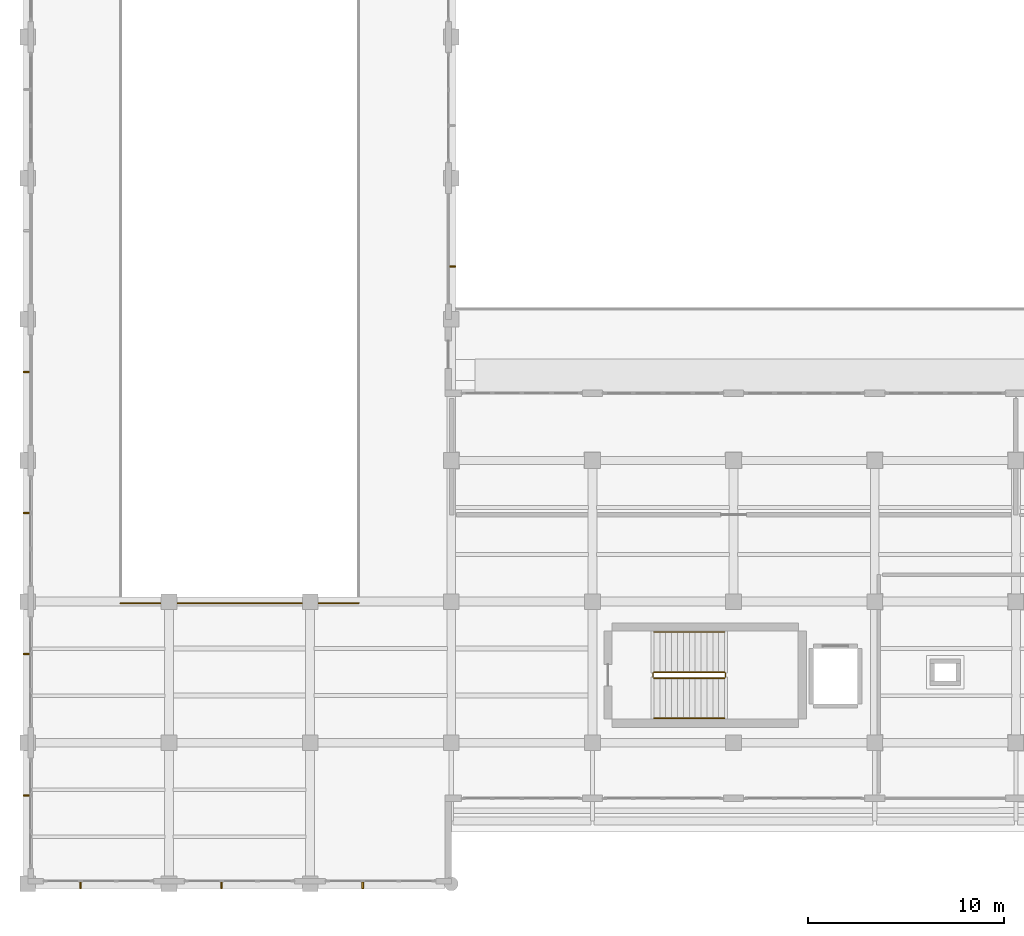
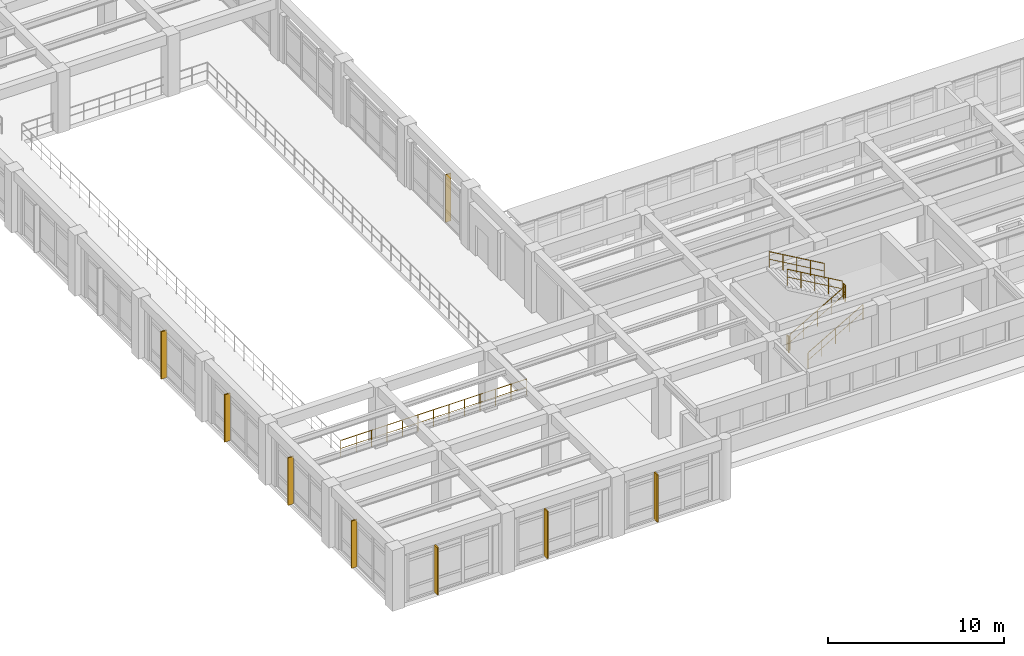
# One storey, part 54 of 67: 8 shading devices, 7 railings.
"""IFC4 building model written with IfcOpenShell, lengths in metres."""

from ifc_helpers import new_model, si_unit, direction, frame, origin, origin_2d, place, context, subcontext, project, spatial, rectangle, circle, extrude, material, material_profile, profile_set, type_object, element, save


model = new_model("IFC4")

# Units and contexts
model_context = context("Model", 3, precision=1e-05, world=origin(), true_north=direction((0.0, 1.0)))
body_context = subcontext(model_context, "Body", "Model", "MODEL_VIEW")
ifc_project = project(units=[si_unit("LENGTHUNIT", "METRE"), si_unit("AREAUNIT", "SQUARE_METRE"), si_unit("VOLUMEUNIT", "CUBIC_METRE"), si_unit("PLANEANGLEUNIT", "RADIAN"), si_unit("MASSUNIT", "GRAM", prefix="KILO")], contexts=[model_context])

# Site, building, storey
site_placement = place(None, origin())
site = spatial("IfcSite", under=ifc_project, at=site_placement, CompositionType="ELEMENT")
building_placement = place(site_placement, origin())
building = spatial("IfcBuilding", under=site, at=building_placement, Name="Solenvale Faculty of Natural Sciences", CompositionType="ELEMENT")
storey_placement = place(building_placement, frame((0.0, 0.0, 13.5)))
storey = spatial("IfcBuildingStorey", under=building, at=storey_placement, Name="L03", CompositionType="ELEMENT", Elevation=13.5)

# Railings
ifc_material_1 = material(Name="Stainless steel Grade 304", Category="steel")
railing_type_1 = type_object("IfcRailingType", Name="RL-GRD-1100", PredefinedType="GUARDRAIL", material=ifc_material_1)
railing_1_placement = place(storey_placement, frame((67.93994140625, 24.89990234375, 0.173095703125)))
element("IfcRailing", 1, at=railing_1_placement, inside=storey, type_object=railing_type_1, Name="L03 ST-03 stair guard 1", PredefinedType="GUARDRAIL", context=body_context, shape_type="SweptSolid", body=[
    extrude(circle(Radius=0.02392578125, at=origin_2d()), frame((0.0, 0.0, 1.09619140625), z_axis=(0.866193409371, 0.0, 0.499708892819), x_axis=(0.0, 1.0, 0.0)), (0.0, 0.0, 1.0), 4.15625),
    extrude(circle(Radius=0.01611328125, at=origin_2d()), frame((0.0, 0.0, 0.56005859375), z_axis=(0.866193409371, 0.0, 0.499708892819), x_axis=(0.0, 1.0, 0.0)), (0.0, 0.0, 1.0), 4.15625),
    extrude(circle(Radius=0.02099609375, at=origin_2d()), origin(), (0.0, 0.0, 1.0), 1.072021484375),
    extrude(circle(Radius=0.02099609375, at=origin_2d()), frame((0.89990234375, 0.0, 0.519287109375)), (0.0, 0.0, 1.0), 1.072021484375),
    extrude(circle(Radius=0.02099609375, at=origin_2d()), frame((1.800048828125, 0.0, 1.03857421875)), (0.0, 0.0, 1.0), 1.072021484375),
    extrude(circle(Radius=0.02099609375, at=origin_2d()), frame((2.7001953125, 0.0, 1.5576171875)), (0.0, 0.0, 1.0), 1.072021484375),
    extrude(circle(Radius=0.02099609375, at=origin_2d()), frame((3.60009765625, 0.0, 2.076904296875)), (0.0, 0.0, 1.0), 1.072021484375),
])
railing_2_placement = place(storey_placement, frame((71.590087890625, 24.949951171875, 2.25)))
element("IfcRailing", 2, at=railing_2_placement, inside=storey, type_object=railing_type_1, Name="L03 ST-03 stair guard 2", PredefinedType="GUARDRAIL", context=body_context, shape_type="SweptSolid", body=[
    extrude(circle(Radius=0.02392578125, at=origin_2d()), frame((0.0, 0.0, 1.09619140625), z_axis=(0.0, 1.0, 0.0), x_axis=(-1.0, 0.0, 0.0)), (0.0, 0.0, 1.0), 0.199951171875),
    extrude(circle(Radius=0.01611328125, at=origin_2d()), frame((0.0, 0.0, 0.56005859375), z_axis=(0.0, 1.0, 0.0), x_axis=(-1.0, 0.0, 0.0)), (0.0, 0.0, 1.0), 0.199951171875),
    extrude(circle(Radius=0.02099609375, at=origin_2d()), origin(), (0.0, 0.0, 1.0), 1.072021484375),
    extrude(circle(Radius=0.02099609375, at=origin_2d()), frame((0.0, 0.199951171875, 0.0)), (0.0, 0.0, 1.0), 1.072021484375),
])
railing_3_placement = place(storey_placement, frame((71.5400390625, 25.199951171875, 2.423095703125)))
element("IfcRailing", 3, at=railing_3_placement, inside=storey, type_object=railing_type_1, Name="L03 ST-03 stair guard 3", PredefinedType="GUARDRAIL", context=body_context, shape_type="SweptSolid", body=[
    extrude(circle(Radius=0.02392578125, at=origin_2d()), frame((0.0, 0.0, 1.09619140625), z_axis=(-0.866193409371, 0.0, 0.499708892819), x_axis=(0.0, -1.0, 0.0)), (0.0, 0.0, 1.0), 4.15625),
    extrude(circle(Radius=0.01611328125, at=origin_2d()), frame((0.0, 0.0, 0.56005859375), z_axis=(-0.866193409371, 0.0, 0.499708892819), x_axis=(0.0, -1.0, 0.0)), (0.0, 0.0, 1.0), 4.15625),
    extrude(circle(Radius=0.02099609375, at=origin_2d()), origin(), (0.0, 0.0, 1.0), 1.072021484375),
    extrude(circle(Radius=0.02099609375, at=origin_2d()), frame((-0.89990234375, 0.0, 0.519287109375)), (0.0, 0.0, 1.0), 1.072021484375),
    extrude(circle(Radius=0.02099609375, at=origin_2d()), frame((-1.800048828125, 0.0, 1.03857421875)), (0.0, 0.0, 1.0), 1.072021484375),
    extrude(circle(Radius=0.02099609375, at=origin_2d()), frame((-2.7001953125, 0.0, 1.5576171875)), (0.0, 0.0, 1.0), 1.072021484375),
    extrude(circle(Radius=0.02099609375, at=origin_2d()), frame((-3.60009765625, 0.0, 2.076904296875)), (0.0, 0.0, 1.0), 1.072021484375),
])
railing_4_placement = place(storey_placement, frame((67.889892578125, 24.949951171875, 0.0)))
element("IfcRailing", 4, at=railing_4_placement, inside=storey, type_object=railing_type_1, Name="L03 ST-03 stair guard 4", PredefinedType="GUARDRAIL", context=body_context, shape_type="SweptSolid", body=[
    extrude(circle(Radius=0.02392578125, at=origin_2d()), frame((0.0, 0.0, 1.09619140625), z_axis=(0.0, 1.0, 0.0), x_axis=(-1.0, 0.0, 0.0)), (0.0, 0.0, 1.0), 0.199951171875),
    extrude(circle(Radius=0.01611328125, at=origin_2d()), frame((0.0, 0.0, 0.56005859375), z_axis=(0.0, 1.0, 0.0), x_axis=(-1.0, 0.0, 0.0)), (0.0, 0.0, 1.0), 0.199951171875),
    extrude(circle(Radius=0.02099609375, at=origin_2d()), origin(), (0.0, 0.0, 1.0), 1.072021484375),
    extrude(circle(Radius=0.02099609375, at=origin_2d()), frame((0.0, 0.199951171875, 0.0)), (0.0, 0.0, 1.0), 1.072021484375),
])
railing_type_2 = type_object("IfcRailingType", Name="RL-GRD-ATR-1150", PredefinedType="GUARDRAIL", material=ifc_material_1)
railing_5_placement = place(storey_placement, frame((40.719970703125, 28.719970703125, 0.0)))
element("IfcRailing", 5, at=railing_5_placement, inside=storey, type_object=railing_type_2, Name="L03 Atrium Gallery Guardrail S", PredefinedType="GUARDRAIL", context=body_context, shape_type="SweptSolid", body=[
    extrude(circle(Radius=0.02392578125, at=origin_2d()), frame((0.0, 0.0, 1.1357421875), z_axis=(1.0, 0.0, 0.0), x_axis=(0.0, 1.0, 0.0)), (0.0, 0.0, 1.0), 12.159912109375),
    extrude(circle(Radius=0.01611328125, at=origin_2d()), frame((0.0, 0.0, 0.580078125), z_axis=(1.0, 0.0, 0.0), x_axis=(0.0, 1.0, 0.0)), (0.0, 0.0, 1.0), 12.159912109375),
    extrude(circle(Radius=0.02099609375, at=origin_2d()), origin(), (0.0, 0.0, 1.0), 1.11181640625),
    extrude(circle(Radius=0.02099609375, at=origin_2d()), frame((1.013427734375, 0.0, 0.0)), (0.0, 0.0, 1.0), 1.11181640625),
    extrude(circle(Radius=0.02099609375, at=origin_2d()), frame((2.026611328125, 0.0, 0.0)), (0.0, 0.0, 1.0), 1.11181640625),
    extrude(circle(Radius=0.02099609375, at=origin_2d()), frame((3.0400390625, 0.0, 0.0)), (0.0, 0.0, 1.0), 1.11181640625),
    extrude(circle(Radius=0.02099609375, at=origin_2d()), frame((4.05322265625, 0.0, 0.0)), (0.0, 0.0, 1.0), 1.11181640625),
    extrude(circle(Radius=0.02099609375, at=origin_2d()), frame((5.066650390625, 0.0, 0.0)), (0.0, 0.0, 1.0), 1.11181640625),
    extrude(circle(Radius=0.02099609375, at=origin_2d()), frame((6.080078125, 0.0, 0.0)), (0.0, 0.0, 1.0), 1.11181640625),
    extrude(circle(Radius=0.02099609375, at=origin_2d()), frame((7.09326171875, 0.0, 0.0)), (0.0, 0.0, 1.0), 1.11181640625),
    extrude(circle(Radius=0.02099609375, at=origin_2d()), frame((8.106689453125, 0.0, 0.0)), (0.0, 0.0, 1.0), 1.11181640625),
    extrude(circle(Radius=0.02099609375, at=origin_2d()), frame((9.119873046875, 0.0, 0.0)), (0.0, 0.0, 1.0), 1.11181640625),
    extrude(circle(Radius=0.02099609375, at=origin_2d()), frame((10.13330078125, 0.0, 0.0)), (0.0, 0.0, 1.0), 1.11181640625),
    extrude(circle(Radius=0.02099609375, at=origin_2d()), frame((11.146484375, 0.0, 0.0)), (0.0, 0.0, 1.0), 1.11181640625),
    extrude(circle(Radius=0.02099609375, at=origin_2d()), frame((12.159912109375, 0.0, 0.0)), (0.0, 0.0, 1.0), 1.11181640625),
])
railing_type_3 = type_object("IfcRailingType", Name="RL-HND-900", PredefinedType="HANDRAIL", material=ifc_material_1)
railing_6_placement = place(storey_placement, frame((67.93994140625, 22.85009765625, 0.173095703125)))
element("IfcRailing", 6, at=railing_6_placement, inside=storey, type_object=railing_type_3, Name="L03 ST-03 stair handrail 1", PredefinedType="HANDRAIL", context=body_context, shape_type="SweptSolid", body=[
    extrude(circle(Radius=0.02392578125, at=origin_2d()), frame((0.0, 0.0, 1.0732421875), z_axis=(0.866193409371, 0.0, 0.499708892819), x_axis=(0.0, 1.0, 0.0)), (0.0, 0.0, 1.0), 4.15625),
    extrude(circle(Radius=0.01611328125, at=origin_2d()), frame((0.0, 0.0, 0.548583984375), z_axis=(0.866193409371, 0.0, 0.499708892819), x_axis=(0.0, 1.0, 0.0)), (0.0, 0.0, 1.0), 4.15625),
    extrude(circle(Radius=0.02099609375, at=origin_2d()), origin(), (0.0, 0.0, 1.0), 1.049072265625),
    extrude(circle(Radius=0.02099609375, at=origin_2d()), frame((0.89990234375, 0.0, 0.519287109375)), (0.0, 0.0, 1.0), 1.049072265625),
    extrude(circle(Radius=0.02099609375, at=origin_2d()), frame((1.800048828125, 0.0, 1.03857421875)), (0.0, 0.0, 1.0), 1.049072265625),
    extrude(circle(Radius=0.02099609375, at=origin_2d()), frame((2.7001953125, 0.0, 1.5576171875)), (0.0, 0.0, 1.0), 1.049072265625),
    extrude(circle(Radius=0.02099609375, at=origin_2d()), frame((3.60009765625, 0.0, 2.076904296875)), (0.0, 0.0, 1.0), 1.049072265625),
])
railing_7_placement = place(storey_placement, frame((71.5400390625, 27.25, 2.423095703125)))
element("IfcRailing", 7, at=railing_7_placement, inside=storey, type_object=railing_type_3, Name="L03 ST-03 stair handrail 2", PredefinedType="HANDRAIL", context=body_context, shape_type="SweptSolid", body=[
    extrude(circle(Radius=0.02392578125, at=origin_2d()), frame((0.0, 0.0, 1.0732421875), z_axis=(-0.866193409371, 0.0, 0.499708892819), x_axis=(0.0, -1.0, 0.0)), (0.0, 0.0, 1.0), 4.15625),
    extrude(circle(Radius=0.01611328125, at=origin_2d()), frame((0.0, 0.0, 0.548583984375), z_axis=(-0.866193409371, 0.0, 0.499708892819), x_axis=(0.0, -1.0, 0.0)), (0.0, 0.0, 1.0), 4.15625),
    extrude(circle(Radius=0.02099609375, at=origin_2d()), origin(), (0.0, 0.0, 1.0), 1.049072265625),
    extrude(circle(Radius=0.02099609375, at=origin_2d()), frame((-0.89990234375, 0.0, 0.519287109375)), (0.0, 0.0, 1.0), 1.049072265625),
    extrude(circle(Radius=0.02099609375, at=origin_2d()), frame((-1.800048828125, 0.0, 1.03857421875)), (0.0, 0.0, 1.0), 1.049072265625),
    extrude(circle(Radius=0.02099609375, at=origin_2d()), frame((-2.7001953125, 0.0, 1.5576171875)), (0.0, 0.0, 1.0), 1.049072265625),
    extrude(circle(Radius=0.02099609375, at=origin_2d()), frame((-3.60009765625, 0.0, 2.076904296875)), (0.0, 0.0, 1.0), 1.049072265625),
])

# Shading devices
ifc_material_2 = material(Name="Anodised bronze aluminium", Category="aluminium")
ifc_material_profile = material_profile(ifc_material_2, rectangle(XDim=0.080078125, YDim=0.360107421875, at=origin_2d()), Name="ALU-FIN-80x360")
ifc_profile_set = profile_set([ifc_material_profile], Name="Anodised bronze aluminium")
shading_device_type = type_object("IfcShadingDeviceType", Name="SHD-FIN-360", PredefinedType="JALOUSIE", material=ifc_profile_set)
for number, where, z_axis, x_axis, name in (
    (8, (57.659912109375, 45.88330078125, -0.02001953125), (0.0, 0.0, 1.0), (0.0, 1.0, 0.0), "L03 Vertical Brise-Soleil Fin 1.2"),
    (9, (35.93994140625, 40.5166015625, -0.02001953125), (0.0, 0.0, 1.0), (0.0, 1.0, 0.0), "L03 Vertical Brise-Soleil Fin 3.8"),
    (10, (35.93994140625, 33.316650390625, -0.02001953125), (0.0, 0.0, 1.0), (0.0, 1.0, 0.0), "L03 Vertical Brise-Soleil Fin 3.9"),
    (11, (35.93994140625, 26.11669921875, -0.02001953125), (0.0, 0.0, 1.0), (0.0, 1.0, 0.0), "L03 Vertical Brise-Soleil Fin 3.10"),
    (12, (35.93994140625, 18.916748046875, -0.02001953125), (0.0, 0.0, 1.0), (0.0, 1.0, 0.0), "L03 Vertical Brise-Soleil Fin 3.11"),
    (13, (38.683349609375, 14.340087890625, -0.02001953125), (0.0, 0.0, 1.0), (1.0, 0.0, 0.0), "L03 Vertical Brise-Soleil Fin 4.1"),
    (14, (45.88330078125, 14.340087890625, -0.02001953125), (0.0, 0.0, 1.0), (1.0, 0.0, 0.0), "L03 Vertical Brise-Soleil Fin 4.2"),
    (15, (53.083251953125, 14.340087890625, -0.02001953125), (0.0, 0.0, 1.0), (1.0, 0.0, 0.0), "L03 Vertical Brise-Soleil Fin 4.3"),
):
    element("IfcShadingDevice", number, at=place(storey_placement, frame(where, z_axis=z_axis, x_axis=x_axis)), inside=storey, type_object=shading_device_type, Name=name, PredefinedType="JALOUSIE", context=body_context, shape_type="SweptSolid", body=[
        extrude(rectangle(XDim=0.080078125, YDim=0.360107421875, at=origin_2d()), origin(), (0.0, 0.0, 1.0), 3.280029296875),
    ])

save(model, "model.ifc")
